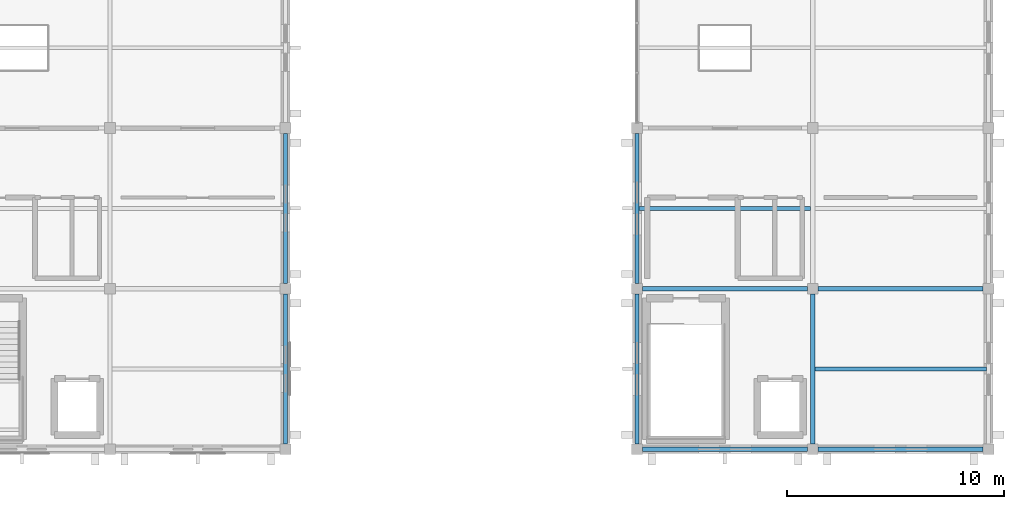
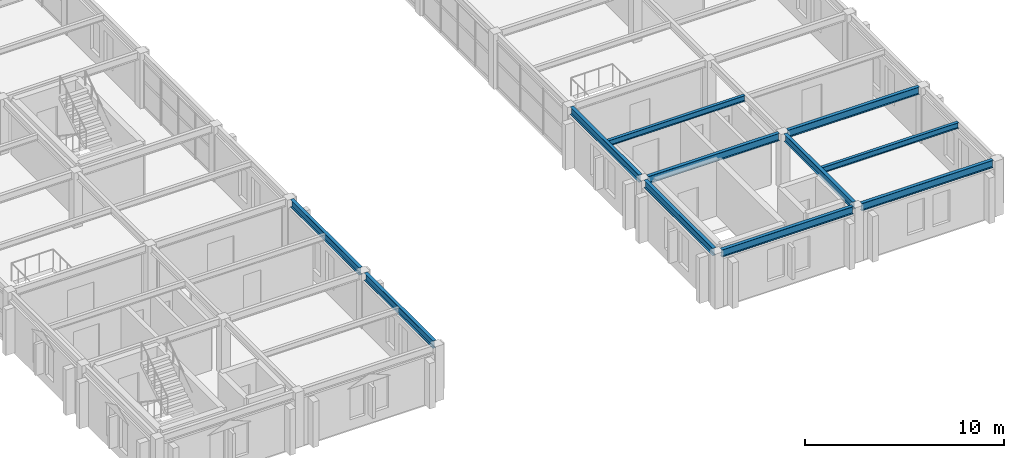
# One storey, part 61 of 93: 11 beams.
"""IFC4 building model written with IfcOpenShell, lengths in metres."""

from ifc_helpers import new_model, si_unit, direction, frame, origin, origin_2d, place, context, subcontext, project, spatial, i_section, extrude, material, material_profile, profile_set, type_object, element, save


model = new_model("IFC4")

# Units and contexts
model_context = context("Model", 3, precision=1e-05, world=origin(), true_north=direction((0.0, 1.0)))
body_context = subcontext(model_context, "Body", "Model", "MODEL_VIEW")
ifc_project = project(units=[si_unit("LENGTHUNIT", "METRE"), si_unit("AREAUNIT", "SQUARE_METRE"), si_unit("VOLUMEUNIT", "CUBIC_METRE"), si_unit("PLANEANGLEUNIT", "RADIAN"), si_unit("MASSUNIT", "GRAM", prefix="KILO")], contexts=[model_context])

# Site, building, storey
site_placement = place(None, origin())
site = spatial("IfcSite", under=ifc_project, at=site_placement, CompositionType="ELEMENT")
building_placement = place(site_placement, origin())
building = spatial("IfcBuilding", under=site, at=building_placement, Name="Cimatlan Art Gallery", CompositionType="ELEMENT")
storey_placement = place(building_placement, frame((0.0, 0.0, 13.800048828125)))
storey = spatial("IfcBuildingStorey", under=building, at=storey_placement, Name="L03", CompositionType="ELEMENT", Elevation=13.800048828125)

# Beams
ifc_material = material(Name="Steel ASTM A992 Grade 50", Category="steel")
ifc_material_profile_1 = material_profile(ifc_material, i_section(OverallWidth=0.1708984375, OverallDepth=0.35107421875, WebThickness=0.0068359375, FlangeThickness=0.009765625, at=origin_2d()), Name="W14X30")
ifc_profile_set_1 = profile_set([ifc_material_profile_1], Name="Steel ASTM A992 Grade 50")
beam_type_1 = type_object("IfcBeamType", Name="BM-STL-W14X30", PredefinedType="JOIST", material=ifc_profile_set_1)
for number, where, z_axis, x_axis, name in (
    (1, (147.8955078125, 35.0, 3.204345703125), (1.0, 0.0, 0.0), (0.0, 1.0, 0.0), "JST-L03-18-04"),
    (2, (155.99560546875, 27.60009765625, 3.204345703125), (1.0, 0.0, 0.0), (0.0, 1.0, 0.0), "JST-L03-19-03"),
):
    element("IfcBeam", number, at=place(storey_placement, frame(where, z_axis=z_axis, x_axis=x_axis)), inside=storey, type_object=beam_type_1, Name=name, PredefinedType="JOIST", context=body_context, shape_type="SweptSolid", body=[
        extrude(i_section(OverallWidth=0.1708984375, OverallDepth=0.35107421875, WebThickness=0.0068359375, FlangeThickness=0.009765625, at=origin_2d()), origin(), (0.0, 0.0, 1.0), 7.908935546875),
    ])
ifc_material_profile_2 = material_profile(ifc_material, i_section(OverallWidth=0.19091796875, OverallDepth=0.45703125, WebThickness=0.009033203125, FlangeThickness=0.014404296875, at=origin_2d()), Name="W18X50")
ifc_profile_set_2 = profile_set([ifc_material_profile_2], Name="Steel ASTM A992 Grade 50")
beam_type_2 = type_object("IfcBeamType", Name="BM-STL-W18X50", PredefinedType="BEAM", material=ifc_profile_set_2)
beam_1_placement = place(storey_placement, frame((131.60009765625, 24.14990234375, 3.1513671875), z_axis=(0.0, 1.0, 0.0), x_axis=(-1.0, 0.0, 0.0)))
element("IfcBeam", 3, at=beam_1_placement, inside=storey, type_object=beam_type_2, Name="BM-Y-L03-16-03", PredefinedType="BEAM", context=body_context, shape_type="SweptSolid", body=[
    extrude(i_section(OverallWidth=0.19091796875, OverallDepth=0.45703125, WebThickness=0.009033203125, FlangeThickness=0.014404296875, at=origin_2d()), origin(), (0.0, 0.0, 1.0), 6.900146484375),
])
beam_2_placement = place(storey_placement, frame((131.60009765625, 31.550048828125, 3.1513671875), z_axis=(0.0, 1.0, 0.0), x_axis=(-1.0, 0.0, 0.0)))
element("IfcBeam", 4, at=beam_2_placement, inside=storey, type_object=beam_type_2, Name="BM-Y-L03-16-04", PredefinedType="BEAM", context=body_context, shape_type="SweptSolid", body=[
    extrude(i_section(OverallWidth=0.19091796875, OverallDepth=0.45703125, WebThickness=0.009033203125, FlangeThickness=0.014404296875, at=origin_2d()), origin(), (0.0, 0.0, 1.0), 6.89990234375),
])
beam_3_placement = place(storey_placement, frame((147.800048828125, 24.14990234375, 3.1513671875), z_axis=(0.0, 1.0, 0.0), x_axis=(-1.0, 0.0, 0.0)))
element("IfcBeam", 5, at=beam_3_placement, inside=storey, type_object=beam_type_2, Name="BM-Y-L03-18-03", PredefinedType="BEAM", context=body_context, shape_type="SweptSolid", body=[
    extrude(i_section(OverallWidth=0.19091796875, OverallDepth=0.45703125, WebThickness=0.009033203125, FlangeThickness=0.014404296875, at=origin_2d()), origin(), (0.0, 0.0, 1.0), 6.900146484375),
])
beam_4_placement = place(storey_placement, frame((147.800048828125, 31.550048828125, 3.1513671875), z_axis=(0.0, 1.0, 0.0), x_axis=(-1.0, 0.0, 0.0)))
element("IfcBeam", 6, at=beam_4_placement, inside=storey, type_object=beam_type_2, Name="BM-Y-L03-18-04", PredefinedType="BEAM", context=body_context, shape_type="SweptSolid", body=[
    extrude(i_section(OverallWidth=0.19091796875, OverallDepth=0.45703125, WebThickness=0.009033203125, FlangeThickness=0.014404296875, at=origin_2d()), origin(), (0.0, 0.0, 1.0), 6.89990234375),
])
beam_5_placement = place(storey_placement, frame((155.89990234375, 24.14990234375, 3.1513671875), z_axis=(0.0, 1.0, 0.0), x_axis=(-1.0, 0.0, 0.0)))
element("IfcBeam", 7, at=beam_5_placement, inside=storey, type_object=beam_type_2, Name="BM-Y-L03-19-03", PredefinedType="BEAM", context=body_context, shape_type="SweptSolid", body=[
    extrude(i_section(OverallWidth=0.19091796875, OverallDepth=0.45703125, WebThickness=0.009033203125, FlangeThickness=0.014404296875, at=origin_2d()), origin(), (0.0, 0.0, 1.0), 6.900146484375),
])
for number, where, z_axis, x_axis, name in (
    (8, (148.050048828125, 23.89990234375, 3.1513671875), (1.0, 0.0, 0.0), (0.0, 1.0, 0.0), "BM-X-L03-18-03"),
    (9, (148.050048828125, 31.300048828125, 3.1513671875), (1.0, 0.0, 0.0), (0.0, 1.0, 0.0), "BM-X-L03-18-04"),
):
    element("IfcBeam", number, at=place(storey_placement, frame(where, z_axis=z_axis, x_axis=x_axis)), inside=storey, type_object=beam_type_2, Name=name, PredefinedType="BEAM", context=body_context, shape_type="SweptSolid", body=[
        extrude(i_section(OverallWidth=0.19091796875, OverallDepth=0.45703125, WebThickness=0.009033203125, FlangeThickness=0.014404296875, at=origin_2d()), origin(), (0.0, 0.0, 1.0), 7.599853515625),
    ])
for number, where, z_axis, x_axis, name in (
    (10, (156.14990234375, 23.89990234375, 3.1513671875), (1.0, 0.0, 0.0), (0.0, 1.0, 0.0), "BM-X-L03-19-03"),
    (11, (156.14990234375, 31.300048828125, 3.1513671875), (1.0, 0.0, 0.0), (0.0, 1.0, 0.0), "BM-X-L03-19-04"),
):
    element("IfcBeam", number, at=place(storey_placement, frame(where, z_axis=z_axis, x_axis=x_axis)), inside=storey, type_object=beam_type_2, Name=name, PredefinedType="BEAM", context=body_context, shape_type="SweptSolid", body=[
        extrude(i_section(OverallWidth=0.19091796875, OverallDepth=0.45703125, WebThickness=0.009033203125, FlangeThickness=0.014404296875, at=origin_2d()), origin(), (0.0, 0.0, 1.0), 7.60009765625),
    ])

save(model, "model.ifc")
